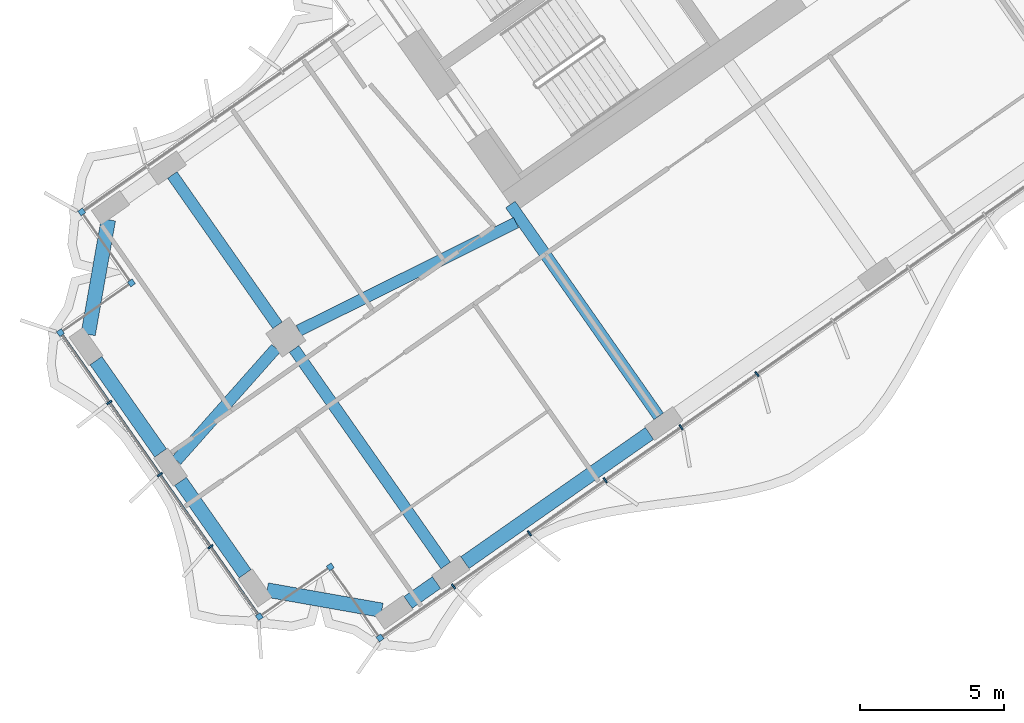
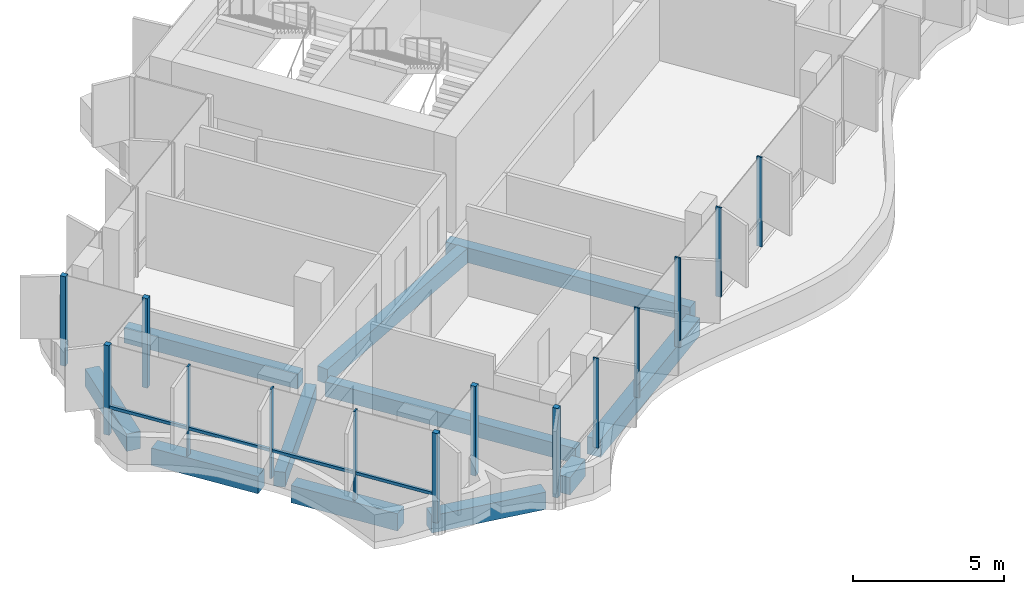
# One storey, part 2 of 23: 15 members, 11 beams, 1 element without a shape of its own.
"""IFC4 building model written with IfcOpenShell, lengths in metres."""

from ifc_helpers import new_model, si_unit, direction, frame, origin, origin_2d, place, context, subcontext, project, spatial, rectangle, extrude, material, material_profile, profile_set, type_object, element, aggregate, save


model = new_model("IFC4")

# Units and contexts
model_context = context("Model", 3, precision=1e-05, world=origin(), true_north=direction((0.0, 1.0)))
body_context = subcontext(model_context, "Body", "Model", "MODEL_VIEW")
ifc_project = project(units=[si_unit("LENGTHUNIT", "METRE"), si_unit("AREAUNIT", "SQUARE_METRE"), si_unit("VOLUMEUNIT", "CUBIC_METRE"), si_unit("PLANEANGLEUNIT", "RADIAN"), si_unit("MASSUNIT", "GRAM", prefix="KILO")], contexts=[model_context])

# Site, building, storey
site_placement = place(None, origin())
site = spatial("IfcSite", under=ifc_project, at=site_placement, CompositionType="ELEMENT")
building_placement = place(site_placement, origin())
building = spatial("IfcBuilding", under=site, at=building_placement, Name="Tel Ilan Convention Tower", CompositionType="ELEMENT")
storey_placement = place(building_placement, frame((0.0, 0.0, 174.89990234375)))
storey = spatial("IfcBuildingStorey", under=building, at=storey_placement, Name="L40", CompositionType="ELEMENT", Elevation=174.89990234375)

# Beams
ifc_material_1 = material(Name="Concrete C40/50", Category="concrete")
ifc_material_profile_1 = material_profile(ifc_material_1, rectangle(XDim=0.39990234375, YDim=0.60009765625, at=origin_2d()), Name="RC 400x600")
ifc_profile_set_1 = profile_set([ifc_material_profile_1], Name="Concrete C40/50")
beam_type_1 = type_object("IfcBeamType", Name="Beam RC 400x600 Concrete C40/50", PredefinedType="BEAM", material=ifc_profile_set_1)
beam_1_placement = place(storey_placement, frame((-16.58203125, -23.391357421875, -0.579833984375), z_axis=(-0.573584999642, 0.819146048141, 0.0), x_axis=(-0.819146048141, -0.573584999642, 0.0)))
element("IfcBeam", 1, at=beam_1_placement, inside=storey, type_object=beam_type_1, Name="L40 beam W-W-F3-core", PredefinedType="BEAM", context=body_context, shape_type="SweptSolid", body=[
    extrude(rectangle(XDim=0.39990234375, YDim=0.60009765625, at=origin_2d()), origin(), (0.0, 0.0, 1.0), 8.949951171875),
])
beam_2_placement = place(storey_placement, frame((-21.52099609375, -16.686279296875, -0.579833984375), z_axis=(-0.895402365524, -0.445257907076, 0.0), x_axis=(0.445257907076, -0.895402365524, 0.0)))
element("IfcBeam", 2, at=beam_2_placement, inside=storey, type_object=beam_type_1, Name="L40 beam W-core-W-M4", PredefinedType="BEAM", context=body_context, shape_type="SweptSolid", body=[
    extrude(rectangle(XDim=0.39990234375, YDim=0.60009765625, at=origin_2d()), origin(), (0.0, 0.0, 1.0), 8.3935546875),
])
beam_3_placement = place(storey_placement, frame((-29.830322265625, -21.03369140625, -0.579833984375), z_axis=(-0.663175252401, -0.748464150512, 0.0), x_axis=(0.748464150512, -0.663175252401, 0.0)))
element("IfcBeam", 3, at=beam_3_placement, inside=storey, type_object=beam_type_1, Name="L40 beam W-W-M4-end", PredefinedType="BEAM", context=body_context, shape_type="SweptSolid", body=[
    extrude(rectangle(XDim=0.39990234375, YDim=0.60009765625, at=origin_2d()), origin(), (0.0, 0.0, 1.0), 5.192626953125),
])
beam_4_placement = place(storey_placement, frame((-29.20263671875, -21.058349609375, -0.579833984375), z_axis=(0.573557249804, -0.819165478519, 0.0), x_axis=(0.819165478519, 0.573557249804, 0.0)))
element("IfcBeam", 4, at=beam_4_placement, inside=storey, type_object=beam_type_1, Name="L40 beam W-W-M4-W-F4", PredefinedType="BEAM", context=body_context, shape_type="SweptSolid", body=[
    extrude(rectangle(XDim=0.39990234375, YDim=0.60009765625, at=origin_2d()), origin(), (0.0, 0.0, 1.0), 9.14990234375),
])
beam_5_placement = place(storey_placement, frame((-29.7763671875, -20.2392578125, -0.579833984375), z_axis=(-0.573560394383, 0.819163276762, 0.0), x_axis=(-0.819163276762, -0.573560394383, 0.0)))
element("IfcBeam", 5, at=beam_5_placement, inside=storey, type_object=beam_type_1, Name="L40 beam W-W-M4-W-B4", PredefinedType="BEAM", context=body_context, shape_type="SweptSolid", body=[
    extrude(rectangle(XDim=0.39990234375, YDim=0.60009765625, at=origin_2d()), origin(), (0.0, 0.0, 1.0), 6.349853515625),
])
ifc_material_2 = material(Name="Concrete C40/50", Category="concrete")
ifc_material_profile_2 = material_profile(ifc_material_2, rectangle(XDim=0.5, YDim=0.699951171875, at=origin_2d()), Name="RC 500x700")
ifc_profile_set_2 = profile_set([ifc_material_profile_2], Name="Concrete C40/50")
beam_type_2 = type_object("IfcBeamType", Name="Beam RC 500x700 Concrete C40/50", PredefinedType="BEAM", material=ifc_profile_set_2)
beam_6_placement = place(storey_placement, frame((-16.901611328125, -23.981201171875, -0.6298828125), z_axis=(-0.819153977895, -0.573573674866, 0.0), x_axis=(0.573573674866, -0.819153977895, 0.0)))
element("IfcBeam", 6, at=beam_6_placement, inside=storey, type_object=beam_type_2, Name="L40 beam W-W-F3-W-F4", PredefinedType="BEAM", context=body_context, shape_type="SweptSolid", body=[
    extrude(rectangle(XDim=0.5, YDim=0.699951171875, at=origin_2d()), origin(), (0.0, 0.0, 1.0), 7.800048828125),
])
beam_7_placement = place(storey_placement, frame((-24.27392578125, -29.1435546875, -0.6298828125), z_axis=(-0.819155442668, -0.573571582932, 0.0), x_axis=(0.573571582932, -0.819155442668, 0.0)))
element("IfcBeam", 7, at=beam_7_placement, inside=storey, type_object=beam_type_2, Name="L40 beam W-W-F4-W-FC", PredefinedType="BEAM", context=body_context, shape_type="SweptSolid", body=[
    extrude(rectangle(XDim=0.5, YDim=0.699951171875, at=origin_2d()), origin(), (0.0, 0.0, 1.0), 1.199951171875),
])
beam_8_placement = place(storey_placement, frame((-26.166259765625, -30.102294921875, -0.6298828125), z_axis=(-0.984804894423, 0.173664388751, 0.0), x_axis=(-0.173664388751, -0.984804894423, 0.0)))
element("IfcBeam", 8, at=beam_8_placement, inside=storey, type_object=beam_type_2, Name="L40 beam W-W-FC-W-E1", PredefinedType="BEAM", context=body_context, shape_type="SweptSolid", body=[
    extrude(rectangle(XDim=0.5, YDim=0.699951171875, at=origin_2d()), origin(), (0.0, 0.0, 1.0), 4.030517578125),
])
for number, where, z_axis, x_axis, name in (
    (9, (-30.8974609375, -28.837158203125, -0.6298828125), (-0.573609383536, 0.819128973434, 0.0), (-0.819128973434, -0.573609383536, 0.0), "L40 beam W-W-E1-W-E2"),
    (10, (-33.82275390625, -24.659423828125, -0.6298828125), (-0.573567378001, 0.81915838694, 0.0), (-0.81915838694, -0.573567378001, 0.0), "L40 beam W-W-E2-W-E3"),
):
    element("IfcBeam", number, at=place(storey_placement, frame(where, z_axis=z_axis, x_axis=x_axis)), inside=storey, type_object=beam_type_2, Name=name, PredefinedType="BEAM", context=body_context, shape_type="SweptSolid", body=[
        extrude(rectangle(XDim=0.5, YDim=0.699951171875, at=origin_2d()), origin(), (0.0, 0.0, 1.0), 3.89990234375),
    ])
beam_9_placement = place(storey_placement, frame((-36.330078125, -20.555419921875, -0.6298828125), z_axis=(0.173664388751, 0.984804894423, 0.0), x_axis=(-0.984804894423, 0.173664388751, 0.0)))
element("IfcBeam", 11, at=beam_9_placement, inside=storey, type_object=beam_type_2, Name="L40 beam W-W-E3-W-BC", PredefinedType="BEAM", context=body_context, shape_type="SweptSolid", body=[
    extrude(rectangle(XDim=0.5, YDim=0.699951171875, at=origin_2d()), origin(), (0.0, 0.0, 1.0), 4.030517578125),
])

# Curtain wall, members
ifc_material_3 = material(Name="Aluminium, bronze anodised", Category="aluminium")
curtain_wall_type = type_object("IfcCurtainWallType", Name="CW4 STICK CURTAIN WALL, OFFICE TINTED GLASS", PredefinedType="NOTDEFINED", material=ifc_material_3)
curtain_wall_placement = place(storey_placement, origin())
curtain_wall = element("IfcCurtainWall", 12, at=curtain_wall_placement, inside=storey, type_object=curtain_wall_type, Name="Curtain wall CW4-31.02", PredefinedType="NOTDEFINED")
ifc_material_4 = material(Name="Aluminium, bronze anodised", Category="aluminium")
ifc_material_profile_3 = material_profile(ifc_material_4, rectangle(XDim=0.199951171875, YDim=0.199951171875, at=origin_2d()), Name="CW CORNER MULLION 200x200")
ifc_profile_set_3 = profile_set([ifc_material_profile_3], Name="Aluminium, bronze anodised")
member_type_1 = type_object("IfcMemberType", Name="CW CORNER MULLION 200x200", PredefinedType="MULLION", material=ifc_profile_set_3)
member_1_placement = place(storey_placement, frame((-36.5517578125, -16.31591796875, 0.0), z_axis=(0.0, 0.0, 1.0), x_axis=(-0.819152044289, -0.573576436351, 0.0)))
member_1 = element("IfcMember", 13, at=member_1_placement, type_object=member_type_1, Name="Corner mullion", PredefinedType="MULLION", context=body_context, shape_type="SweptSolid", body=[
    extrude(rectangle(XDim=0.199951171875, YDim=0.199951171875, at=origin_2d()), origin(), (0.0, 0.0, 1.0), 3.6201171875),
])
member_2_placement = place(storey_placement, frame((-34.8310546875, -18.7734375, 0.0), z_axis=(0.0, 0.0, 1.0), x_axis=(0.573576436351, -0.819152044289, 0.0)))
member_2 = element("IfcMember", 14, at=member_2_placement, type_object=member_type_1, Name="Corner mullion", PredefinedType="MULLION", context=body_context, shape_type="SweptSolid", body=[
    extrude(rectangle(XDim=0.199951171875, YDim=0.199951171875, at=origin_2d()), origin(), (0.0, 0.0, 1.0), 3.6201171875),
])
member_3_placement = place(storey_placement, frame((-37.28857421875, -20.494140625, 0.0), z_axis=(0.0, 0.0, 1.0), x_axis=(-0.819152044289, -0.573576436351, 0.0)))
member_3 = element("IfcMember", 15, at=member_3_placement, type_object=member_type_1, Name="Corner mullion", PredefinedType="MULLION", context=body_context, shape_type="SweptSolid", body=[
    extrude(rectangle(XDim=0.199951171875, YDim=0.199951171875, at=origin_2d()), origin(), (0.0, 0.0, 1.0), 3.6201171875),
])
member_4_placement = place(storey_placement, frame((-30.40576171875, -30.323974609375, 0.0), z_axis=(0.0, 0.0, 1.0), x_axis=(0.573576436351, -0.819152044289, 0.0)))
member_4 = element("IfcMember", 16, at=member_4_placement, type_object=member_type_1, Name="Corner mullion", PredefinedType="MULLION", context=body_context, shape_type="SweptSolid", body=[
    extrude(rectangle(XDim=0.199951171875, YDim=0.199951171875, at=origin_2d()), origin(), (0.0, 0.0, 1.0), 3.6201171875),
])
member_5_placement = place(storey_placement, frame((-27.9482421875, -28.603271484375, 0.0), z_axis=(0.0, 0.0, 1.0), x_axis=(0.819152044289, 0.573576436351, 0.0)))
member_5 = element("IfcMember", 17, at=member_5_placement, type_object=member_type_1, Name="Corner mullion", PredefinedType="MULLION", context=body_context, shape_type="SweptSolid", body=[
    extrude(rectangle(XDim=0.199951171875, YDim=0.199951171875, at=origin_2d()), origin(), (0.0, 0.0, 1.0), 3.6201171875),
])
member_6_placement = place(storey_placement, frame((-26.2275390625, -31.060791015625, 0.0), z_axis=(0.0, 0.0, 1.0), x_axis=(0.573576436351, -0.819152044289, 0.0)))
member_6 = element("IfcMember", 18, at=member_6_placement, type_object=member_type_1, Name="Corner mullion", PredefinedType="MULLION", context=body_context, shape_type="SweptSolid", body=[
    extrude(rectangle(XDim=0.199951171875, YDim=0.199951171875, at=origin_2d()), origin(), (0.0, 0.0, 1.0), 3.6201171875),
])
ifc_material_5 = material(Name="Aluminium, bronze anodised", Category="aluminium")
ifc_material_profile_4 = material_profile(ifc_material_5, rectangle(XDim=0.06005859375, YDim=0.199951171875, at=origin_2d()), Name="CW MULLION 60x200")
ifc_profile_set_4 = profile_set([ifc_material_profile_4], Name="Aluminium, bronze anodised")
member_type_2 = type_object("IfcMemberType", Name="CW MULLION 60x200", PredefinedType="MULLION", material=ifc_profile_set_4)
member_7_placement = place(storey_placement, frame((-35.596435546875, -22.91064453125, 0.0), z_axis=(0.0, 0.0, 1.0), x_axis=(0.573576436351, -0.819152044289, 0.0)))
member_7 = element("IfcMember", 19, at=member_7_placement, type_object=member_type_2, Name="Mullion", PredefinedType="MULLION", context=body_context, shape_type="SweptSolid", body=[
    extrude(rectangle(XDim=0.06005859375, YDim=0.199951171875, at=origin_2d()), origin(), (0.0, 0.0, 1.0), 3.6201171875),
])
member_8_placement = place(storey_placement, frame((-33.84716796875, -25.4091796875, 0.0), z_axis=(0.0, 0.0, 1.0), x_axis=(0.573576436351, -0.819152044289, 0.0)))
member_8 = element("IfcMember", 20, at=member_8_placement, type_object=member_type_2, Name="Mullion", PredefinedType="MULLION", context=body_context, shape_type="SweptSolid", body=[
    extrude(rectangle(XDim=0.06005859375, YDim=0.199951171875, at=origin_2d()), origin(), (0.0, 0.0, 1.0), 3.6201171875),
])
member_9_placement = place(storey_placement, frame((-32.09765625, -27.907470703125, 0.0), z_axis=(0.0, 0.0, 1.0), x_axis=(0.573576436351, -0.819152044289, 0.0)))
member_9 = element("IfcMember", 21, at=member_9_placement, type_object=member_type_2, Name="Mullion", PredefinedType="MULLION", context=body_context, shape_type="SweptSolid", body=[
    extrude(rectangle(XDim=0.06005859375, YDim=0.199951171875, at=origin_2d()), origin(), (0.0, 0.0, 1.0), 3.6201171875),
])
member_10_placement = place(storey_placement, frame((-23.68408203125, -29.27978515625, 0.0), z_axis=(0.0, 0.0, 1.0), x_axis=(0.819152044289, 0.573576436351, 0.0)))
member_10 = element("IfcMember", 22, at=member_10_placement, type_object=member_type_2, Name="Mullion", PredefinedType="MULLION", context=body_context, shape_type="SweptSolid", body=[
    extrude(rectangle(XDim=0.06005859375, YDim=0.199951171875, at=origin_2d()), origin(), (0.0, 0.0, 1.0), 3.6201171875),
])
member_11_placement = place(storey_placement, frame((-21.05908203125, -27.441650390625, 0.0), z_axis=(0.0, 0.0, 1.0), x_axis=(0.819152044289, 0.573576436351, 0.0)))
member_11 = element("IfcMember", 23, at=member_11_placement, type_object=member_type_2, Name="Mullion", PredefinedType="MULLION", context=body_context, shape_type="SweptSolid", body=[
    extrude(rectangle(XDim=0.06005859375, YDim=0.199951171875, at=origin_2d()), origin(), (0.0, 0.0, 1.0), 3.6201171875),
])
member_12_placement = place(storey_placement, frame((-18.433837890625, -25.603515625, 0.0), z_axis=(0.0, 0.0, 1.0), x_axis=(0.819152044289, 0.573576436351, 0.0)))
member_12 = element("IfcMember", 24, at=member_12_placement, type_object=member_type_2, Name="Mullion", PredefinedType="MULLION", context=body_context, shape_type="SweptSolid", body=[
    extrude(rectangle(XDim=0.06005859375, YDim=0.199951171875, at=origin_2d()), origin(), (0.0, 0.0, 1.0), 3.6201171875),
])
member_13_placement = place(storey_placement, frame((-15.80859375, -23.765380859375, 0.0), z_axis=(0.0, 0.0, 1.0), x_axis=(0.819152044289, 0.573576436351, 0.0)))
member_13 = element("IfcMember", 25, at=member_13_placement, type_object=member_type_2, Name="Mullion", PredefinedType="MULLION", context=body_context, shape_type="SweptSolid", body=[
    extrude(rectangle(XDim=0.06005859375, YDim=0.199951171875, at=origin_2d()), origin(), (0.0, 0.0, 1.0), 3.6201171875),
])
member_14_placement = place(storey_placement, frame((-13.183349609375, -21.92724609375, 0.0), z_axis=(0.0, 0.0, 1.0), x_axis=(0.819152044289, 0.573576436351, 0.0)))
member_14 = element("IfcMember", 26, at=member_14_placement, type_object=member_type_2, Name="Mullion", PredefinedType="MULLION", context=body_context, shape_type="SweptSolid", body=[
    extrude(rectangle(XDim=0.06005859375, YDim=0.199951171875, at=origin_2d()), origin(), (0.0, 0.0, 1.0), 3.6201171875),
])
ifc_material_6 = material(Name="Aluminium, bronze anodised", Category="aluminium")
ifc_material_profile_5 = material_profile(ifc_material_6, rectangle(XDim=0.10009765625, YDim=0.1201171875, at=origin_2d()), Name="CW TRANSOM 100x120")
ifc_profile_set_5 = profile_set([ifc_material_profile_5], Name="Aluminium, bronze anodised")
member_type_3 = type_object("IfcMemberType", Name="CW TRANSOM 100x120", PredefinedType="USERDEFINED", material=ifc_profile_set_5)
member_15_placement = place(storey_placement, frame((-37.231201171875, -20.576171875, 1.10009765625), z_axis=(0.573567872435, -0.819158040741, 0.0), x_axis=(0.819158040741, 0.573567872435, 0.0)))
member_15 = element("IfcMember", 27, at=member_15_placement, type_object=member_type_3, Name="Transom", ObjectType="TRANSOM", PredefinedType="USERDEFINED", context=body_context, shape_type="SweptSolid", body=[
    extrude(rectangle(XDim=0.10009765625, YDim=0.1201171875, at=origin_2d()), origin(), (0.0, 0.0, 1.0), 11.800048828125),
])
aggregate(curtain_wall, [member_1, member_2, member_3, member_7, member_8, member_9, member_4, member_15, member_5, member_6, member_10, member_11, member_12, member_13, member_14])

save(model, "model.ifc")
